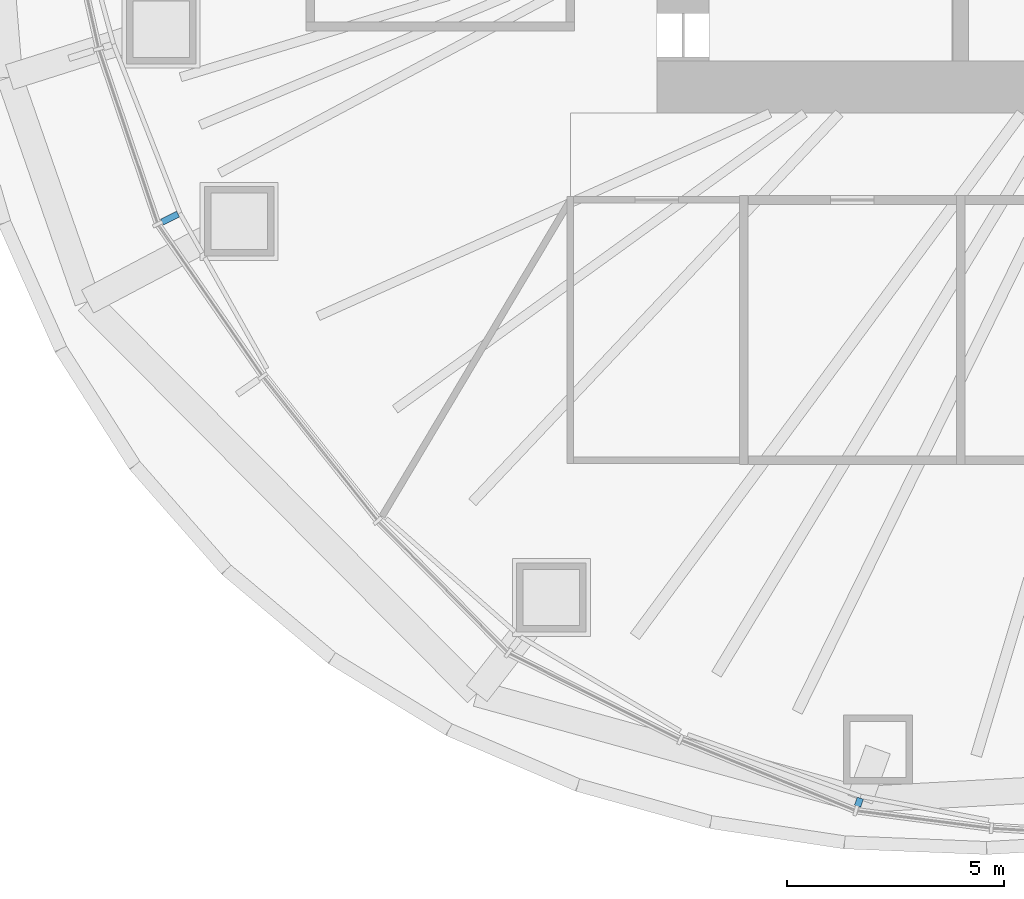
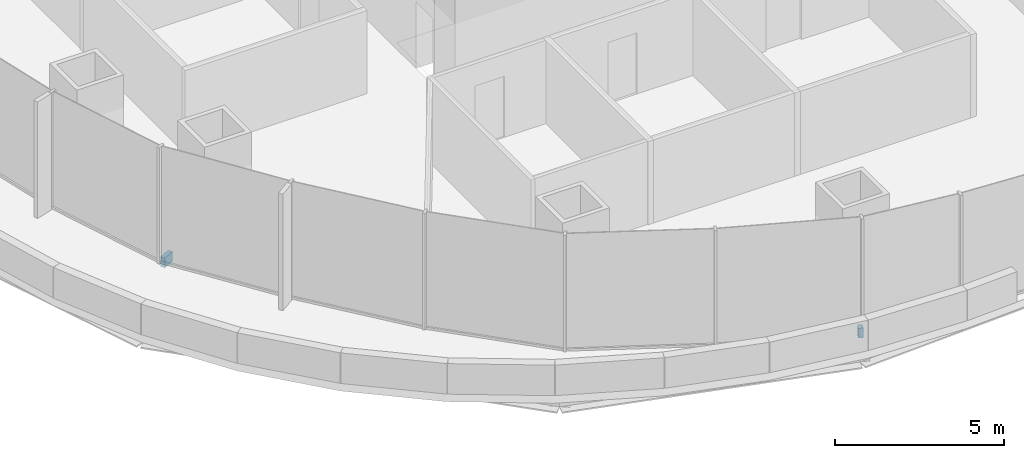
# One storey, part 13 of 20: 2 discrete accessories.
"""IFC4 building model written with IfcOpenShell, lengths in metres."""

from ifc_helpers import new_model, si_unit, direction, frame, origin, origin_2d, place, context, subcontext, project, spatial, rectangle, extrude, material, type_object, element, save


model = new_model("IFC4")

# Units and contexts
model_context = context("Model", 3, precision=1e-05, world=origin(), true_north=direction((0.0, 1.0)))
body_context = subcontext(model_context, "Body", "Model", "MODEL_VIEW")
ifc_project = project(units=[si_unit("LENGTHUNIT", "METRE"), si_unit("AREAUNIT", "SQUARE_METRE"), si_unit("VOLUMEUNIT", "CUBIC_METRE"), si_unit("PLANEANGLEUNIT", "RADIAN"), si_unit("MASSUNIT", "GRAM", prefix="KILO")], contexts=[model_context])

# Site, building, storey
site_placement = place(None, origin())
site = spatial("IfcSite", under=ifc_project, at=site_placement, CompositionType="ELEMENT")
building_placement = place(site_placement, origin())
building = spatial("IfcBuilding", under=site, at=building_placement, Name="Ghaith Harvest Tower", CompositionType="ELEMENT")
storey_placement = place(building_placement, frame((0.0, 0.0, 105.0)))
storey = spatial("IfcBuildingStorey", under=building, at=storey_placement, Name="L21", CompositionType="ELEMENT", Elevation=105.0)

# Discrete accessories
ifc_material_1 = material(Name="Stainless steel grade 1.4401", Category="steel")
discrete_accessory_type_1 = type_object("IfcDiscreteAccessoryType", Name="CURTAIN WALL BRACKET 195", PredefinedType="BRACKET", material=ifc_material_1)
discrete_accessory_1_placement = place(storey_placement, frame((-9.348388671875, -25.883544921875, -0.25), z_axis=(0.0, 0.0, 1.0), x_axis=(-0.33969945263, -0.940534040789, 0.0)))
element("IfcDiscreteAccessory", 1, at=discrete_accessory_1_placement, inside=storey, type_object=discrete_accessory_type_1, Name="CW-L bracket 1 bay 15 L21", PredefinedType="BRACKET", context=body_context, shape_type="SweptSolid", body=[
    extrude(rectangle(XDim=0.195068359375, YDim=0.14990234375, at=origin_2d()), origin(), (0.0, 0.0, 1.0), 0.35009765625),
])
ifc_material_2 = material(Name="Stainless steel grade 1.4401", Category="steel")
discrete_accessory_type_2 = type_object("IfcDiscreteAccessoryType", Name="CURTAIN WALL BRACKET 415", PredefinedType="BRACKET", material=ifc_material_2)
discrete_accessory_2_placement = place(storey_placement, frame((-25.228515625, -12.41796875, -0.25), z_axis=(0.0, 0.0, 1.0), x_axis=(-0.897201221415, -0.441621974421, 0.0)))
element("IfcDiscreteAccessory", 2, at=discrete_accessory_2_placement, inside=storey, type_object=discrete_accessory_type_2, Name="CW-L bracket 2 bay 12 L21", PredefinedType="BRACKET", context=body_context, shape_type="SweptSolid", body=[
    extrude(rectangle(XDim=0.4150390625, YDim=0.14990234375, at=origin_2d()), origin(), (0.0, 0.0, 1.0), 0.35009765625),
])

save(model, "model.ifc")
